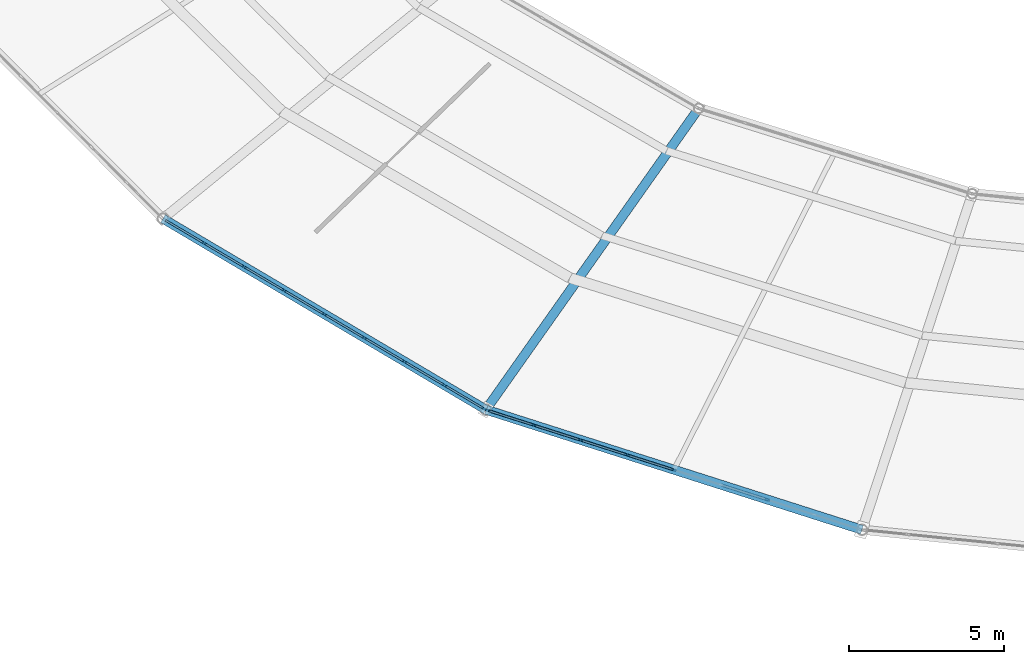
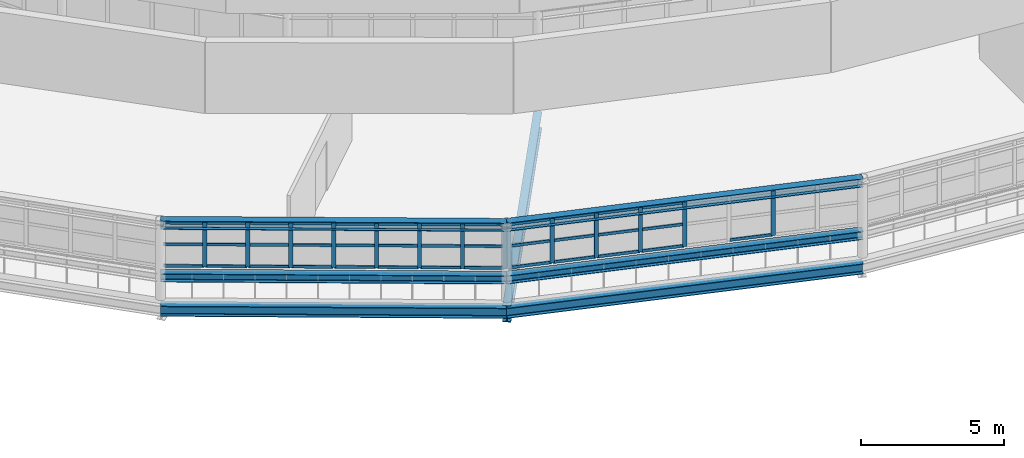
# One storey, part 33 of 123: 51 members, 7 beams, 2 elements without a shape of their own.
"""IFC4 building model written with IfcOpenShell, lengths in metres."""

import ifcopenshell
import ifcopenshell.guid

model = None  # the IFC model being written
_history = None  # IfcOwnerHistory: only IFC2X3 demands one
_inside = {}  # id of a spatial element -> (the spatial element, [elements in it])
_under = {}  # id of a project, library or spatial element -> (it, [spatial elements below it])
_declared = {}  # id of a project -> (the project, [libraries it declares])
_typed = {}  # id of a type object -> (the type object, [elements of that type])
_made_of = {}  # id of a material, layer set ... -> (it, [elements and type objects made of it])


def new_model(schema):
    """Start an empty IFC model of exactly this schema.

    Asked for "IFC4X3", IfcOpenShell would pick the latest addendum, in which some entities
    have other attributes; the version numbers below select the first issue.
    IFC2X3 requires an IfcOwnerHistory on every rooted entity: one is made here for all.
    """
    global model, _history
    if schema == "IFC4X3":
        model = ifcopenshell.file(schema_version=(4, 3, 0, 0))
    else:
        model = ifcopenshell.file(schema=schema)
    _inside.clear()
    _under.clear()
    _declared.clear()
    _typed.clear()
    _made_of.clear()
    _history = None
    if model.schema == "IFC2X3":
        org = make("IfcOrganization", Name="unknown")
        user = make(
            "IfcPersonAndOrganization",
            ThePerson=make("IfcPerson", FamilyName="unknown"),
            TheOrganization=org,
        )
        app = make(
            "IfcApplication",
            ApplicationDeveloper=org,
            Version="unknown",
            ApplicationFullName="unknown",
            ApplicationIdentifier="unknown",
        )
        _history = make(
            "IfcOwnerHistory",
            OwningUser=user,
            OwningApplication=app,
            ChangeAction="ADDED",
            CreationDate=0,
        )
    return model


def make(cls, **values):
    """One entity of the class cls with the attributes given. An attribute that is None is left unset."""
    return model.create_entity(
        cls, **{name: value for name, value in values.items() if value is not None}
    )


def rooted(cls, **values):
    """An entity with a GlobalId (a new one), such as an element, a storey or a relation."""
    return make(cls, GlobalId=ifcopenshell.guid.new(), OwnerHistory=_history, **values)


def si_unit(unit_type, name, prefix=None):
    """IfcSIUnit, for example si_unit("LENGTHUNIT", "METRE", prefix="MILLI")."""
    return make("IfcSIUnit", UnitType=unit_type, Prefix=prefix, Name=name)


def assignment(units):
    """IfcUnitAssignment: the units of a project."""
    return None if units is None else make("IfcUnitAssignment", Units=units)


def point(xyz):
    """IfcCartesianPoint."""
    return None if xyz is None else make("IfcCartesianPoint", Coordinates=xyz)


def direction(xyz):
    """IfcDirection."""
    return None if xyz is None else make("IfcDirection", DirectionRatios=xyz)


def frame(location, z_axis=None, x_axis=None):
    """IfcAxis2Placement3D, a coordinate frame: its origin and axes. An axis left out is left unset."""
    return make(
        "IfcAxis2Placement3D",
        Location=point(location),
        Axis=direction(z_axis),
        RefDirection=direction(x_axis),
    )


def frame_2d(location, x_axis=None):
    """IfcAxis2Placement2D, a coordinate frame in the plane: its origin and x axis."""
    return make(
        "IfcAxis2Placement2D", Location=point(location), RefDirection=direction(x_axis)
    )


def origin():
    """The frame at (0, 0, 0) with its axes left unset."""
    return frame((0.0, 0.0, 0.0))


def origin_2d():
    """The frame at (0, 0) in the plane with its x axis left unset."""
    return frame_2d((0.0, 0.0))


def place(relative_to, where):
    """IfcLocalPlacement: puts the frame where relative to a parent placement (None: the world)."""
    return make(
        "IfcLocalPlacement", PlacementRelTo=relative_to, RelativePlacement=where
    )


def context(
    kind, dimensions, precision=None, world=None, true_north=None, identifier=None
):
    """IfcGeometricRepresentationContext, for example the 3D "Model" context."""
    return make(
        "IfcGeometricRepresentationContext",
        ContextIdentifier=identifier,
        ContextType=kind,
        CoordinateSpaceDimension=dimensions,
        Precision=precision,
        WorldCoordinateSystem=world,
        TrueNorth=true_north,
    )


def subcontext(parent, identifier, kind, view, scale=None):
    """IfcGeometricRepresentationSubContext, for example "Body" below "Model"."""
    return make(
        "IfcGeometricRepresentationSubContext",
        ContextIdentifier=identifier,
        ContextType=kind,
        ParentContext=parent,
        TargetScale=scale,
        TargetView=view,
    )


def project(units=None, contexts=None):
    """IfcProject with its units and contexts."""
    return rooted(
        "IfcProject",
        Name="project",
        RepresentationContexts=contexts,
        UnitsInContext=assignment(units),
    )


def spatial(cls, under=None, at=None, **own):
    """A site, building, storey or space (cls), placed at a placement, below another one or the project."""
    s = rooted(cls, ObjectPlacement=at, **own)
    if under is not None:
        _under.setdefault(under.id(), (under, []))[1].append(s)
    return s


def profile(cls, at=None, kind="AREA", **sizes):
    """A parametric profile (cls). Its sizes go by their IFC names, for example OverallWidth=200.0."""
    return make(cls, ProfileType=kind, Position=at, **sizes)


def rectangle(**sizes):
    """IfcRectangleProfileDef."""
    return profile("IfcRectangleProfileDef", **sizes)


def i_section(**sizes):
    """IfcIShapeProfileDef."""
    return profile("IfcIShapeProfileDef", **sizes)


def extrude(swept, where, along, depth):
    """IfcExtrudedAreaSolid: the profile swept, set in the frame where, extruded along a direction by depth."""
    return make(
        "IfcExtrudedAreaSolid",
        SweptArea=swept,
        Position=where,
        ExtrudedDirection=direction(along),
        Depth=depth,
    )


def shape(context_of_items, identifier, shape_type, items):
    """IfcShapeRepresentation: the items that make up one representation, for example the "Body"."""
    return make(
        "IfcShapeRepresentation",
        ContextOfItems=context_of_items,
        RepresentationIdentifier=identifier,
        RepresentationType=shape_type,
        Items=items,
    )


def material(Name=None, Category=None):
    """IfcMaterial."""
    return make("IfcMaterial", Name=Name, Category=Category)


def material_profile(
    of_material, cross_section, Name=None, Category=None, Priority=None
):
    """IfcMaterialProfile: a cross section and its material."""
    return make(
        "IfcMaterialProfile",
        Name=Name,
        Material=of_material,
        Profile=cross_section,
        Priority=Priority,
        Category=Category,
    )


def profile_set(profiles, Name=None, composite=None):
    """IfcMaterialProfileSet."""
    return make(
        "IfcMaterialProfileSet",
        Name=Name,
        MaterialProfiles=profiles,
        CompositeProfile=composite,
    )


def made_of(thing, what):
    """Note that an element or type object is made of a material, layer set ...; save() writes the relation."""
    if what is not None:
        _made_of.setdefault(what.id(), (what, []))[1].append(thing)
    return thing


def type_object(cls, material=None, **own):
    """A type object (cls), such as IfcWallType, which elements share."""
    return made_of(rooted(cls, **own), material)


def element(
    cls,
    number,
    at=None,
    inside=None,
    cuts=None,
    type_object=None,
    material=None,
    context=None,
    identifier="Body",
    shape_type=None,
    held_by="IfcProductDefinitionShape",
    body=None,
    shapes=None,
    **own,
):
    """One element of the class cls, such as IfcWall. Its Tag is "e" and its number.

    at: its placement. inside: the storey or other place that contains it. cuts: it is an
    opening in that element (IfcRelVoidsElement). A single representation is given by context,
    identifier, shape_type and body (its items); several are given by shapes. held_by: the class
    of the entity that holds the representations. save() writes the other relations.
    """
    e = rooted(cls, Tag="e%d" % number, ObjectPlacement=at, **own)
    if body is not None:
        shapes = [shape(context, identifier, shape_type, body)]
    if shapes is not None:
        e.Representation = make(held_by, Representations=shapes)
    if inside is not None:
        _inside.setdefault(inside.id(), (inside, []))[1].append(e)
    if cuts is not None:
        rooted(
            "IfcRelVoidsElement", RelatingBuildingElement=cuts, RelatedOpeningElement=e
        )
    if type_object is not None:
        _typed.setdefault(type_object.id(), (type_object, []))[1].append(e)
    return made_of(e, material)


def aggregate(whole, parts):
    """IfcRelAggregates: a whole, such as a stair, and the parts it consists of."""
    return rooted("IfcRelAggregates", RelatingObject=whole, RelatedObjects=parts)


def save(model, path):
    """Write the relations noted so far, then the file.

    IfcRelAggregates (storeys below a building ...), IfcRelContainedInSpatialStructure (elements
    in a storey), IfcRelDefinesByType, IfcRelAssociatesMaterial and IfcRelDeclares: one each for
    every whole, place, type object, material and project.
    """
    for whole, parts in _under.values():
        aggregate(whole, parts)
    for where, things in _inside.values():
        rooted(
            "IfcRelContainedInSpatialStructure",
            RelatedElements=things,
            RelatingStructure=where,
        )
    for kind, things in _typed.values():
        rooted("IfcRelDefinesByType", RelatedObjects=things, RelatingType=kind)
    for what, things in _made_of.values():
        rooted("IfcRelAssociatesMaterial", RelatedObjects=things, RelatingMaterial=what)
    for by, libraries in _declared.values():
        rooted("IfcRelDeclares", RelatingContext=by, RelatedDefinitions=libraries)
    model.write(path)


model = new_model("IFC4")

# Units and contexts
model_context = context("Model", 3, precision=1e-05, world=origin(), true_north=direction((0.0, 1.0)))
body_context = subcontext(model_context, "Body", "Model", "MODEL_VIEW")
ifc_project = project(units=[si_unit("LENGTHUNIT", "METRE"), si_unit("AREAUNIT", "SQUARE_METRE"), si_unit("VOLUMEUNIT", "CUBIC_METRE"), si_unit("PLANEANGLEUNIT", "RADIAN"), si_unit("MASSUNIT", "GRAM", prefix="KILO")], contexts=[model_context])

# Site, building, storey
site_placement = place(None, origin())
site = spatial("IfcSite", under=ifc_project, at=site_placement, CompositionType="ELEMENT")
building_placement = place(site_placement, origin())
building = spatial("IfcBuilding", under=site, at=building_placement, Name="Kildeholm Park Wholesale Market", CompositionType="ELEMENT")
storey_placement = place(building_placement, frame((0.0, 0.0, 9.60009765625)))
storey = spatial("IfcBuildingStorey", under=building, at=storey_placement, Name="L02", CompositionType="ELEMENT", Elevation=9.60009765625)

# Beams
ifc_material_1 = material(Name="Steel S355", Category="steel")
ifc_material_profile_1 = material_profile(ifc_material_1, i_section(OverallWidth=0.300048828125, OverallDepth=0.699951171875, WebThickness=0.01708984375, FlangeThickness=0.031982421875, FilletRadius=0.027099609375, at=origin_2d()), Name="HEB 700")
ifc_profile_set_1 = profile_set([ifc_material_profile_1], Name="Steel S355")
beam_type_1 = type_object("IfcBeamType", Name="Beam B-G01 HEB 700", PredefinedType="BEAM", material=ifc_profile_set_1)
beam_1_placement = place(storey_placement, frame((80.75, 65.68408203125, -0.60009765625), z_axis=(-0.576894674263, -0.816818544603, 0.0), x_axis=(0.816818544603, -0.576894674263, 0.0)))
element("IfcBeam", 1, at=beam_1_placement, inside=storey, type_object=beam_type_1, Name="Beam BM-V1-L02-R1-16 BM-0146", PredefinedType="BEAM", context=body_context, shape_type="SweptSolid", body=[
    extrude(i_section(OverallWidth=0.300048828125, OverallDepth=0.699951171875, WebThickness=0.01708984375, FlangeThickness=0.031982421875, FilletRadius=0.027099609375, at=origin_2d()), origin(), (0.0, 0.0, 1.0), 11.8740234375),
])
ifc_material_profile_2 = material_profile(ifc_material_1, i_section(OverallWidth=0.300048828125, OverallDepth=0.35009765625, WebThickness=0.010009765625, FlangeThickness=0.017578125, FilletRadius=0.027099609375, at=origin_2d()), Name="HEA 360")
ifc_profile_set_2 = profile_set([ifc_material_profile_2], Name="Steel S355")
beam_type_2 = type_object("IfcBeamType", Name="Beam B-R01 HEA 360", PredefinedType="BEAM", material=ifc_profile_set_2)
beam_2_placement = place(storey_placement, frame((63.5029296875, 62.135009765625, 0.946044921875), z_axis=(0.860700316594, -0.509111937609, 0.0), x_axis=(0.509111937609, 0.860700316594, 0.0)))
element("IfcBeam", 2, at=beam_2_placement, inside=storey, type_object=beam_type_2, Name="Beam BM-V1-S1IN-15 BM-0311", PredefinedType="BEAM", context=body_context, shape_type="SweptSolid", body=[
    extrude(i_section(OverallWidth=0.300048828125, OverallDepth=0.35009765625, WebThickness=0.010009765625, FlangeThickness=0.017578125, FilletRadius=0.027099609375, at=origin_2d()), origin(), (0.0, 0.0, 1.0), 12.07958984375),
])
beam_3_placement = place(storey_placement, frame((73.89990234375, 55.985107421875, 0.946533203125), z_axis=(0.952608649326, -0.304198555599, 0.0), x_axis=(0.304198555599, 0.952608649326, 0.0)))
element("IfcBeam", 3, at=beam_3_placement, inside=storey, type_object=beam_type_2, Name="Beam BM-V1-S1IN-16 BM-0317", PredefinedType="BEAM", context=body_context, shape_type="SweptSolid", body=[
    extrude(i_section(OverallWidth=0.300048828125, OverallDepth=0.35009765625, WebThickness=0.010009765625, FlangeThickness=0.017578125, FilletRadius=0.027099609375, at=origin_2d()), origin(), (0.0, 0.0, 1.0), 12.70947265625),
])
ifc_material_profile_3 = material_profile(ifc_material_1, i_section(OverallWidth=0.300048828125, OverallDepth=0.43994140625, WebThickness=0.011474609375, FlangeThickness=0.02099609375, FilletRadius=0.027099609375, at=origin_2d()), Name="HEA 450")
ifc_profile_set_3 = profile_set([ifc_material_profile_3], Name="Steel S355")
beam_type_3 = type_object("IfcBeamType", Name="Beam B-R02 HEA 450", PredefinedType="BEAM", material=ifc_profile_set_3)
beam_4_placement = place(storey_placement, frame((63.5029296875, 62.135009765625, -0.47412109375), z_axis=(0.860700316594, -0.509111937609, 0.0), x_axis=(0.509111937609, 0.860700316594, 0.0)))
element("IfcBeam", 4, at=beam_4_placement, inside=storey, type_object=beam_type_3, Name="Beam BM-V1-L02-CM-15 BM-0143", PredefinedType="BEAM", context=body_context, shape_type="SweptSolid", body=[
    extrude(i_section(OverallWidth=0.300048828125, OverallDepth=0.43994140625, WebThickness=0.011474609375, FlangeThickness=0.02099609375, FilletRadius=0.027099609375, at=origin_2d()), origin(), (0.0, 0.0, 1.0), 12.07958984375),
])
beam_5_placement = place(storey_placement, frame((73.89990234375, 55.985107421875, -0.47412109375), z_axis=(0.952608649326, -0.304198555599, 0.0), x_axis=(0.304198555599, 0.952608649326, 0.0)))
element("IfcBeam", 5, at=beam_5_placement, inside=storey, type_object=beam_type_3, Name="Beam BM-V1-L02-CM-16 BM-0152", PredefinedType="BEAM", context=body_context, shape_type="SweptSolid", body=[
    extrude(i_section(OverallWidth=0.300048828125, OverallDepth=0.43994140625, WebThickness=0.011474609375, FlangeThickness=0.02099609375, FilletRadius=0.027099609375, at=origin_2d()), origin(), (0.0, 0.0, 1.0), 12.70947265625),
])
ifc_material_profile_4 = material_profile(ifc_material_1, i_section(OverallWidth=0.300048828125, OverallDepth=0.360107421875, WebThickness=0.012451171875, FlangeThickness=0.0224609375, FilletRadius=0.027099609375, at=origin_2d()), Name="HEB 360")
ifc_profile_set_4 = profile_set([ifc_material_profile_4], Name="Steel S355")
beam_type_4 = type_object("IfcBeamType", Name="Beam B-R03 HEB 360", PredefinedType="BEAM", material=ifc_profile_set_4)
beam_6_placement = place(storey_placement, frame((63.5029296875, 62.135009765625, 3.1884765625), z_axis=(0.860700316594, -0.509111937609, 0.0), x_axis=(0.509111937609, 0.860700316594, 0.0)))
element("IfcBeam", 6, at=beam_6_placement, inside=storey, type_object=beam_type_4, Name="Beam BM-V1-RF-M1-15 BM-0312", PredefinedType="BEAM", context=body_context, shape_type="SweptSolid", body=[
    extrude(i_section(OverallWidth=0.300048828125, OverallDepth=0.360107421875, WebThickness=0.012451171875, FlangeThickness=0.0224609375, FilletRadius=0.027099609375, at=origin_2d()), origin(), (0.0, 0.0, 1.0), 12.07958984375),
])
beam_7_placement = place(storey_placement, frame((73.89990234375, 55.985107421875, 3.188720703125), z_axis=(0.952608649326, -0.304198555599, 0.0), x_axis=(0.304198555599, 0.952608649326, 0.0)))
element("IfcBeam", 7, at=beam_7_placement, inside=storey, type_object=beam_type_4, Name="Beam BM-V1-RF-M1-16 BM-0318", PredefinedType="BEAM", context=body_context, shape_type="SweptSolid", body=[
    extrude(i_section(OverallWidth=0.300048828125, OverallDepth=0.360107421875, WebThickness=0.012451171875, FlangeThickness=0.0224609375, FilletRadius=0.027099609375, at=origin_2d()), origin(), (0.0, 0.0, 1.0), 12.70947265625),
])

# Curtain wall, members
ifc_material_2 = material(Name="Anodised aluminium and low-E double-glazed glass", Category="aluminium")
curtain_wall_type = type_object("IfcCurtainWallType", Name="Clerestory daylight stick curtain wall CW-02", PredefinedType="NOTDEFINED", material=ifc_material_2)
curtain_wall_1_placement = place(storey_placement, origin())
curtain_wall_1 = element("IfcCurtainWall", 8, at=curtain_wall_1_placement, inside=storey, type_object=curtain_wall_type, Name="Curtain wall CW-V1-CL-15 CW-0075", PredefinedType="NOTDEFINED")
ifc_material_3 = material(Name="Anodised aluminium", Category="aluminium")
ifc_material_profile_5 = material_profile(ifc_material_3, rectangle(XDim=0.06005859375, YDim=0.14990234375, at=origin_2d()), Name="CWM 60x150")
ifc_profile_set_5 = profile_set([ifc_material_profile_5], Name="Anodised aluminium")
member_type_1 = type_object("IfcMemberType", Name="Curtain-wall mullion CWM-3 CWM 60x150", PredefinedType="MULLION", material=ifc_profile_set_5)
member_1_placement = place(storey_placement, frame((64.824951171875, 61.347412109375, 1.349853515625), z_axis=(0.0, 0.0, 1.0), x_axis=(0.509105492275, 0.860704129033, 0.0)))
member_1 = element("IfcMember", 9, at=member_1_placement, type_object=member_type_1, Name="CW-02 mullion 2 MEM-2413", PredefinedType="MULLION", context=body_context, shape_type="SweptSolid", body=[
    extrude(rectangle(XDim=0.06005859375, YDim=0.14990234375, at=origin_2d()), origin(), (0.0, 0.0, 1.0), 1.900146484375),
])
member_2_placement = place(storey_placement, frame((66.115966796875, 60.583740234375, 1.349853515625), z_axis=(0.0, 0.0, 1.0), x_axis=(0.509105492275, 0.860704129033, 0.0)))
member_2 = element("IfcMember", 10, at=member_2_placement, type_object=member_type_1, Name="CW-02 mullion 3 MEM-2414", PredefinedType="MULLION", context=body_context, shape_type="SweptSolid", body=[
    extrude(rectangle(XDim=0.06005859375, YDim=0.14990234375, at=origin_2d()), origin(), (0.0, 0.0, 1.0), 1.900146484375),
])
member_3_placement = place(storey_placement, frame((67.406982421875, 59.820068359375, 1.349853515625), z_axis=(0.0, 0.0, 1.0), x_axis=(0.509105492275, 0.860704129033, 0.0)))
member_3 = element("IfcMember", 11, at=member_3_placement, type_object=member_type_1, Name="CW-02 mullion 4 MEM-2415", PredefinedType="MULLION", context=body_context, shape_type="SweptSolid", body=[
    extrude(rectangle(XDim=0.06005859375, YDim=0.14990234375, at=origin_2d()), origin(), (0.0, 0.0, 1.0), 1.900146484375),
])
member_4_placement = place(storey_placement, frame((68.697998046875, 59.056396484375, 1.349853515625), z_axis=(0.0, 0.0, 1.0), x_axis=(0.509105492275, 0.860704129033, 0.0)))
member_4 = element("IfcMember", 12, at=member_4_placement, type_object=member_type_1, Name="CW-02 mullion 5 MEM-2416", PredefinedType="MULLION", context=body_context, shape_type="SweptSolid", body=[
    extrude(rectangle(XDim=0.06005859375, YDim=0.14990234375, at=origin_2d()), origin(), (0.0, 0.0, 1.0), 1.900146484375),
])
member_5_placement = place(storey_placement, frame((69.989013671875, 58.29296875, 1.349853515625), z_axis=(0.0, 0.0, 1.0), x_axis=(0.509105492275, 0.860704129033, 0.0)))
member_5 = element("IfcMember", 13, at=member_5_placement, type_object=member_type_1, Name="CW-02 mullion 6 MEM-2417", PredefinedType="MULLION", context=body_context, shape_type="SweptSolid", body=[
    extrude(rectangle(XDim=0.06005859375, YDim=0.14990234375, at=origin_2d()), origin(), (0.0, 0.0, 1.0), 1.900146484375),
])
member_6_placement = place(storey_placement, frame((71.280029296875, 57.529296875, 1.349853515625), z_axis=(0.0, 0.0, 1.0), x_axis=(0.509105492275, 0.860704129033, 0.0)))
member_6 = element("IfcMember", 14, at=member_6_placement, type_object=member_type_1, Name="CW-02 mullion 7 MEM-2418", PredefinedType="MULLION", context=body_context, shape_type="SweptSolid", body=[
    extrude(rectangle(XDim=0.06005859375, YDim=0.14990234375, at=origin_2d()), origin(), (0.0, 0.0, 1.0), 1.900146484375),
])
member_7_placement = place(storey_placement, frame((72.571044921875, 56.765625, 1.349853515625), z_axis=(0.0, 0.0, 1.0), x_axis=(0.509105492275, 0.860704129033, 0.0)))
member_7 = element("IfcMember", 15, at=member_7_placement, type_object=member_type_1, Name="CW-02 mullion 8 MEM-2419", PredefinedType="MULLION", context=body_context, shape_type="SweptSolid", body=[
    extrude(rectangle(XDim=0.06005859375, YDim=0.14990234375, at=origin_2d()), origin(), (0.0, 0.0, 1.0), 1.900146484375),
])
member_8_placement = place(storey_placement, frame((73.836181640625, 56.017333984375, 1.349853515625), z_axis=(0.0, 0.0, 1.0), x_axis=(0.509105492275, 0.860704129033, 0.0)))
member_8 = element("IfcMember", 16, at=member_8_placement, type_object=member_type_1, Name="CW-02 mullion 9 MEM-2420", PredefinedType="MULLION", context=body_context, shape_type="SweptSolid", body=[
    extrude(rectangle(XDim=0.06005859375, YDim=0.14990234375, at=origin_2d()), origin(), (0.0, 0.0, 1.0), 1.900146484375),
])

curtain_wall_2_placement = place(storey_placement, origin())
curtain_wall_2 = element("IfcCurtainWall", 17, at=curtain_wall_2_placement, inside=storey, type_object=curtain_wall_type, Name="Curtain wall CW-V1-CL-16 CW-0080", PredefinedType="NOTDEFINED")
member_9_placement = place(storey_placement, frame((73.964599609375, 55.9599609375, 1.349853515625), z_axis=(0.0, 0.0, 1.0), x_axis=(0.304206822997, 0.952606009241, 0.0)))
member_9 = element("IfcMember", 18, at=member_9_placement, type_object=member_type_1, Name="CW-02 mullion 1 MEM-2561", PredefinedType="MULLION", context=body_context, shape_type="SweptSolid", body=[
    extrude(rectangle(XDim=0.06005859375, YDim=0.14990234375, at=origin_2d()), origin(), (0.0, 0.0, 1.0), 1.900146484375),
])
member_10_placement = place(storey_placement, frame((75.43994140625, 55.48876953125, 1.349853515625), z_axis=(0.0, 0.0, 1.0), x_axis=(0.304206822997, 0.952606009241, 0.0)))
member_10 = element("IfcMember", 19, at=member_10_placement, type_object=member_type_1, Name="CW-02 mullion 2 MEM-2562", PredefinedType="MULLION", context=body_context, shape_type="SweptSolid", body=[
    extrude(rectangle(XDim=0.06005859375, YDim=0.14990234375, at=origin_2d()), origin(), (0.0, 0.0, 1.0), 1.900146484375),
])
member_11_placement = place(storey_placement, frame((76.94384765625, 55.008544921875, 1.349853515625), z_axis=(0.0, 0.0, 1.0), x_axis=(0.304206822997, 0.952606009241, 0.0)))
member_11 = element("IfcMember", 20, at=member_11_placement, type_object=member_type_1, Name="CW-02 mullion 3 MEM-2563", PredefinedType="MULLION", context=body_context, shape_type="SweptSolid", body=[
    extrude(rectangle(XDim=0.06005859375, YDim=0.14990234375, at=origin_2d()), origin(), (0.0, 0.0, 1.0), 1.900146484375),
])
member_12_placement = place(storey_placement, frame((78.447509765625, 54.5283203125, 1.349853515625), z_axis=(0.0, 0.0, 1.0), x_axis=(0.304206822997, 0.952606009241, 0.0)))
member_12 = element("IfcMember", 21, at=member_12_placement, type_object=member_type_1, Name="CW-02 mullion 4 MEM-2564", PredefinedType="MULLION", context=body_context, shape_type="SweptSolid", body=[
    extrude(rectangle(XDim=0.06005859375, YDim=0.14990234375, at=origin_2d()), origin(), (0.0, 0.0, 1.0), 1.900146484375),
])
member_13_placement = place(storey_placement, frame((79.951416015625, 54.048095703125, 1.349853515625), z_axis=(0.0, 0.0, 1.0), x_axis=(0.304206822997, 0.952606009241, 0.0)))
member_13 = element("IfcMember", 22, at=member_13_placement, type_object=member_type_1, Name="CW-02 mullion 5 MEM-2565", PredefinedType="MULLION", context=body_context, shape_type="SweptSolid", body=[
    extrude(rectangle(XDim=0.06005859375, YDim=0.14990234375, at=origin_2d()), origin(), (0.0, 0.0, 1.0), 1.900146484375),
])
member_14_placement = place(storey_placement, frame((82.959228515625, 53.08740234375, 1.349853515625), z_axis=(0.0, 0.0, 1.0), x_axis=(0.304206822997, 0.952606009241, 0.0)))
member_14 = element("IfcMember", 23, at=member_14_placement, type_object=member_type_1, Name="CW-02 mullion 7 MEM-2567", PredefinedType="MULLION", context=body_context, shape_type="SweptSolid", body=[
    extrude(rectangle(XDim=0.06005859375, YDim=0.14990234375, at=origin_2d()), origin(), (0.0, 0.0, 1.0), 1.900146484375),
])

# Member
ifc_material_profile_6 = material_profile(ifc_material_3, rectangle(XDim=0.06005859375, YDim=0.1201171875, at=origin_2d()), Name="CWT 60x120")
ifc_profile_set_6 = profile_set([ifc_material_profile_6], Name="Anodised aluminium")
member_type_2 = type_object("IfcMemberType", Name="Curtain-wall transom CWT-3 CWT 60x120", PredefinedType="USERDEFINED", material=ifc_profile_set_6)
member_15_placement = place(storey_placement, frame((63.585693359375, 62.08056640625, 1.3798828125), z_axis=(0.860609208808, -0.509265932214, 0.0), x_axis=(0.509265932214, 0.860609208808, 0.0)))
member_15 = element("IfcMember", 24, at=member_15_placement, type_object=member_type_2, Name="CW-02 transom 1.1 MEM-2421", ObjectType="TRANSOM", PredefinedType="USERDEFINED", context=body_context, shape_type="SweptSolid", body=[
    extrude(rectangle(XDim=0.06005859375, YDim=0.1201171875, at=origin_2d()), origin(), (0.0, 0.0, 1.0), 1.409912109375),
])

member_16_placement = place(storey_placement, frame((63.585693359375, 62.08056640625, 2.2998046875), z_axis=(0.860609208808, -0.509265932214, 0.0), x_axis=(0.509265932214, 0.860609208808, 0.0)))
member_16 = element("IfcMember", 25, at=member_16_placement, type_object=member_type_2, Name="CW-02 transom 1.2 MEM-2422", ObjectType="TRANSOM", PredefinedType="USERDEFINED", context=body_context, shape_type="SweptSolid", body=[
    extrude(rectangle(XDim=0.06005859375, YDim=0.1201171875, at=origin_2d()), origin(), (0.0, 0.0, 1.0), 1.409912109375),
])

member_17_placement = place(storey_placement, frame((63.585693359375, 62.08056640625, 3.219970703125), z_axis=(0.860609208808, -0.509265932214, 0.0), x_axis=(0.509265932214, 0.860609208808, 0.0)))
member_17 = element("IfcMember", 26, at=member_17_placement, type_object=member_type_2, Name="CW-02 transom 1.3 MEM-2423", ObjectType="TRANSOM", PredefinedType="USERDEFINED", context=body_context, shape_type="SweptSolid", body=[
    extrude(rectangle(XDim=0.06005859375, YDim=0.1201171875, at=origin_2d()), origin(), (0.0, 0.0, 1.0), 1.409912109375),
])

member_18_placement = place(storey_placement, frame((64.850830078125, 61.33203125, 1.3798828125), z_axis=(0.860737422869, -0.509049200838, 0.0), x_axis=(0.509049200838, 0.860737422869, 0.0)))
member_18 = element("IfcMember", 27, at=member_18_placement, type_object=member_type_2, Name="CW-02 transom 2.1 MEM-2424", ObjectType="TRANSOM", PredefinedType="USERDEFINED", context=body_context, shape_type="SweptSolid", body=[
    extrude(rectangle(XDim=0.06005859375, YDim=0.1201171875, at=origin_2d()), origin(), (0.0, 0.0, 1.0), 1.439697265625),
])

member_19_placement = place(storey_placement, frame((64.850830078125, 61.33203125, 2.2998046875), z_axis=(0.860737422869, -0.509049200838, 0.0), x_axis=(0.509049200838, 0.860737422869, 0.0)))
member_19 = element("IfcMember", 28, at=member_19_placement, type_object=member_type_2, Name="CW-02 transom 2.2 MEM-2425", ObjectType="TRANSOM", PredefinedType="USERDEFINED", context=body_context, shape_type="SweptSolid", body=[
    extrude(rectangle(XDim=0.06005859375, YDim=0.1201171875, at=origin_2d()), origin(), (0.0, 0.0, 1.0), 1.439697265625),
])

member_20_placement = place(storey_placement, frame((64.850830078125, 61.33203125, 3.219970703125), z_axis=(0.860737422869, -0.509049200838, 0.0), x_axis=(0.509049200838, 0.860737422869, 0.0)))
member_20 = element("IfcMember", 29, at=member_20_placement, type_object=member_type_2, Name="CW-02 transom 2.3 MEM-2426", ObjectType="TRANSOM", PredefinedType="USERDEFINED", context=body_context, shape_type="SweptSolid", body=[
    extrude(rectangle(XDim=0.06005859375, YDim=0.1201171875, at=origin_2d()), origin(), (0.0, 0.0, 1.0), 1.439697265625),
])

member_21_placement = place(storey_placement, frame((66.141845703125, 60.568359375, 1.3798828125), z_axis=(0.860737422869, -0.509049200838, 0.0), x_axis=(0.509049200838, 0.860737422869, 0.0)))
member_21 = element("IfcMember", 30, at=member_21_placement, type_object=member_type_2, Name="CW-02 transom 3.1 MEM-2427", ObjectType="TRANSOM", PredefinedType="USERDEFINED", context=body_context, shape_type="SweptSolid", body=[
    extrude(rectangle(XDim=0.06005859375, YDim=0.1201171875, at=origin_2d()), origin(), (0.0, 0.0, 1.0), 1.439697265625),
])

member_22_placement = place(storey_placement, frame((66.141845703125, 60.568359375, 2.2998046875), z_axis=(0.860737422869, -0.509049200838, 0.0), x_axis=(0.509049200838, 0.860737422869, 0.0)))
member_22 = element("IfcMember", 31, at=member_22_placement, type_object=member_type_2, Name="CW-02 transom 3.2 MEM-2428", ObjectType="TRANSOM", PredefinedType="USERDEFINED", context=body_context, shape_type="SweptSolid", body=[
    extrude(rectangle(XDim=0.06005859375, YDim=0.1201171875, at=origin_2d()), origin(), (0.0, 0.0, 1.0), 1.439697265625),
])

member_23_placement = place(storey_placement, frame((66.141845703125, 60.568359375, 3.219970703125), z_axis=(0.860737422869, -0.509049200838, 0.0), x_axis=(0.509049200838, 0.860737422869, 0.0)))
member_23 = element("IfcMember", 32, at=member_23_placement, type_object=member_type_2, Name="CW-02 transom 3.3 MEM-2429", ObjectType="TRANSOM", PredefinedType="USERDEFINED", context=body_context, shape_type="SweptSolid", body=[
    extrude(rectangle(XDim=0.06005859375, YDim=0.1201171875, at=origin_2d()), origin(), (0.0, 0.0, 1.0), 1.439697265625),
])

member_24_placement = place(storey_placement, frame((67.432861328125, 59.804931640625, 1.3798828125), z_axis=(0.860663121706, -0.509174813728, 0.0), x_axis=(0.509174813728, 0.860663121706, 0.0)))
member_24 = element("IfcMember", 33, at=member_24_placement, type_object=member_type_2, Name="CW-02 transom 4.1 MEM-2430", ObjectType="TRANSOM", PredefinedType="USERDEFINED", context=body_context, shape_type="SweptSolid", body=[
    extrude(rectangle(XDim=0.06005859375, YDim=0.1201171875, at=origin_2d()), origin(), (0.0, 0.0, 1.0), 1.43994140625),
])

member_25_placement = place(storey_placement, frame((67.432861328125, 59.804931640625, 2.2998046875), z_axis=(0.860663121706, -0.509174813728, 0.0), x_axis=(0.509174813728, 0.860663121706, 0.0)))
member_25 = element("IfcMember", 34, at=member_25_placement, type_object=member_type_2, Name="CW-02 transom 4.2 MEM-2431", ObjectType="TRANSOM", PredefinedType="USERDEFINED", context=body_context, shape_type="SweptSolid", body=[
    extrude(rectangle(XDim=0.06005859375, YDim=0.1201171875, at=origin_2d()), origin(), (0.0, 0.0, 1.0), 1.43994140625),
])

member_26_placement = place(storey_placement, frame((67.432861328125, 59.804931640625, 3.219970703125), z_axis=(0.860663121706, -0.509174813728, 0.0), x_axis=(0.509174813728, 0.860663121706, 0.0)))
member_26 = element("IfcMember", 35, at=member_26_placement, type_object=member_type_2, Name="CW-02 transom 4.3 MEM-2432", ObjectType="TRANSOM", PredefinedType="USERDEFINED", context=body_context, shape_type="SweptSolid", body=[
    extrude(rectangle(XDim=0.06005859375, YDim=0.1201171875, at=origin_2d()), origin(), (0.0, 0.0, 1.0), 1.43994140625),
])

member_27_placement = place(storey_placement, frame((68.723876953125, 59.041259765625, 1.3798828125), z_axis=(0.860663121706, -0.509174813728, 0.0), x_axis=(0.509174813728, 0.860663121706, 0.0)))
member_27 = element("IfcMember", 36, at=member_27_placement, type_object=member_type_2, Name="CW-02 transom 5.1 MEM-2433", ObjectType="TRANSOM", PredefinedType="USERDEFINED", context=body_context, shape_type="SweptSolid", body=[
    extrude(rectangle(XDim=0.06005859375, YDim=0.1201171875, at=origin_2d()), origin(), (0.0, 0.0, 1.0), 1.43994140625),
])

member_28_placement = place(storey_placement, frame((68.723876953125, 59.041259765625, 2.2998046875), z_axis=(0.860663121706, -0.509174813728, 0.0), x_axis=(0.509174813728, 0.860663121706, 0.0)))
member_28 = element("IfcMember", 37, at=member_28_placement, type_object=member_type_2, Name="CW-02 transom 5.2 MEM-2434", ObjectType="TRANSOM", PredefinedType="USERDEFINED", context=body_context, shape_type="SweptSolid", body=[
    extrude(rectangle(XDim=0.06005859375, YDim=0.1201171875, at=origin_2d()), origin(), (0.0, 0.0, 1.0), 1.43994140625),
])

member_29_placement = place(storey_placement, frame((68.723876953125, 59.041259765625, 3.219970703125), z_axis=(0.860663121706, -0.509174813728, 0.0), x_axis=(0.509174813728, 0.860663121706, 0.0)))
member_29 = element("IfcMember", 38, at=member_29_placement, type_object=member_type_2, Name="CW-02 transom 5.3 MEM-2435", ObjectType="TRANSOM", PredefinedType="USERDEFINED", context=body_context, shape_type="SweptSolid", body=[
    extrude(rectangle(XDim=0.06005859375, YDim=0.1201171875, at=origin_2d()), origin(), (0.0, 0.0, 1.0), 1.43994140625),
])

member_30_placement = place(storey_placement, frame((70.014892578125, 58.277587890625, 1.3798828125), z_axis=(0.860663121706, -0.509174813728, 0.0), x_axis=(0.509174813728, 0.860663121706, 0.0)))
member_30 = element("IfcMember", 39, at=member_30_placement, type_object=member_type_2, Name="CW-02 transom 6.1 MEM-2436", ObjectType="TRANSOM", PredefinedType="USERDEFINED", context=body_context, shape_type="SweptSolid", body=[
    extrude(rectangle(XDim=0.06005859375, YDim=0.1201171875, at=origin_2d()), origin(), (0.0, 0.0, 1.0), 1.43994140625),
])

member_31_placement = place(storey_placement, frame((70.014892578125, 58.277587890625, 2.2998046875), z_axis=(0.860663121706, -0.509174813728, 0.0), x_axis=(0.509174813728, 0.860663121706, 0.0)))
member_31 = element("IfcMember", 40, at=member_31_placement, type_object=member_type_2, Name="CW-02 transom 6.2 MEM-2437", ObjectType="TRANSOM", PredefinedType="USERDEFINED", context=body_context, shape_type="SweptSolid", body=[
    extrude(rectangle(XDim=0.06005859375, YDim=0.1201171875, at=origin_2d()), origin(), (0.0, 0.0, 1.0), 1.43994140625),
])

member_32_placement = place(storey_placement, frame((70.014892578125, 58.277587890625, 3.219970703125), z_axis=(0.860663121706, -0.509174813728, 0.0), x_axis=(0.509174813728, 0.860663121706, 0.0)))
member_32 = element("IfcMember", 41, at=member_32_placement, type_object=member_type_2, Name="CW-02 transom 6.3 MEM-2438", ObjectType="TRANSOM", PredefinedType="USERDEFINED", context=body_context, shape_type="SweptSolid", body=[
    extrude(rectangle(XDim=0.06005859375, YDim=0.1201171875, at=origin_2d()), origin(), (0.0, 0.0, 1.0), 1.43994140625),
])

member_33_placement = place(storey_placement, frame((71.305908203125, 57.513916015625, 1.3798828125), z_axis=(0.860737422869, -0.509049200838, 0.0), x_axis=(0.509049200838, 0.860737422869, 0.0)))
member_33 = element("IfcMember", 42, at=member_33_placement, type_object=member_type_2, Name="CW-02 transom 7.1 MEM-2439", ObjectType="TRANSOM", PredefinedType="USERDEFINED", context=body_context, shape_type="SweptSolid", body=[
    extrude(rectangle(XDim=0.06005859375, YDim=0.1201171875, at=origin_2d()), origin(), (0.0, 0.0, 1.0), 1.439697265625),
])

member_34_placement = place(storey_placement, frame((71.305908203125, 57.513916015625, 2.2998046875), z_axis=(0.860737422869, -0.509049200838, 0.0), x_axis=(0.509049200838, 0.860737422869, 0.0)))
member_34 = element("IfcMember", 43, at=member_34_placement, type_object=member_type_2, Name="CW-02 transom 7.2 MEM-2440", ObjectType="TRANSOM", PredefinedType="USERDEFINED", context=body_context, shape_type="SweptSolid", body=[
    extrude(rectangle(XDim=0.06005859375, YDim=0.1201171875, at=origin_2d()), origin(), (0.0, 0.0, 1.0), 1.439697265625),
])

member_35_placement = place(storey_placement, frame((71.305908203125, 57.513916015625, 3.219970703125), z_axis=(0.860737422869, -0.509049200838, 0.0), x_axis=(0.509049200838, 0.860737422869, 0.0)))
member_35 = element("IfcMember", 44, at=member_35_placement, type_object=member_type_2, Name="CW-02 transom 7.3 MEM-2441", ObjectType="TRANSOM", PredefinedType="USERDEFINED", context=body_context, shape_type="SweptSolid", body=[
    extrude(rectangle(XDim=0.06005859375, YDim=0.1201171875, at=origin_2d()), origin(), (0.0, 0.0, 1.0), 1.439697265625),
])

member_36_placement = place(storey_placement, frame((72.596923828125, 56.750244140625, 1.3798828125), z_axis=(0.860685098679, -0.509137664008, 0.0), x_axis=(0.509137664008, 0.860685098679, 0.0)))
member_36 = element("IfcMember", 45, at=member_36_placement, type_object=member_type_2, Name="CW-02 transom 8.1 MEM-2442", ObjectType="TRANSOM", PredefinedType="USERDEFINED", context=body_context, shape_type="SweptSolid", body=[
    extrude(rectangle(XDim=0.06005859375, YDim=0.1201171875, at=origin_2d()), origin(), (0.0, 0.0, 1.0), 1.40966796875),
])

member_37_placement = place(storey_placement, frame((72.596923828125, 56.750244140625, 2.2998046875), z_axis=(0.860685098679, -0.509137664008, 0.0), x_axis=(0.509137664008, 0.860685098679, 0.0)))
member_37 = element("IfcMember", 46, at=member_37_placement, type_object=member_type_2, Name="CW-02 transom 8.2 MEM-2443", ObjectType="TRANSOM", PredefinedType="USERDEFINED", context=body_context, shape_type="SweptSolid", body=[
    extrude(rectangle(XDim=0.06005859375, YDim=0.1201171875, at=origin_2d()), origin(), (0.0, 0.0, 1.0), 1.40966796875),
])

member_38_placement = place(storey_placement, frame((72.596923828125, 56.750244140625, 3.219970703125), z_axis=(0.860685098679, -0.509137664008, 0.0), x_axis=(0.509137664008, 0.860685098679, 0.0)))
member_38 = element("IfcMember", 47, at=member_38_placement, type_object=member_type_2, Name="CW-02 transom 8.3 MEM-2444", ObjectType="TRANSOM", PredefinedType="USERDEFINED", context=body_context, shape_type="SweptSolid", body=[
    extrude(rectangle(XDim=0.06005859375, YDim=0.1201171875, at=origin_2d()), origin(), (0.0, 0.0, 1.0), 1.40966796875),
])

aggregate(curtain_wall_1, [member_1, member_2, member_3, member_4, member_5, member_6, member_7, member_8, member_15, member_16, member_17, member_18, member_19, member_20, member_21, member_22, member_23, member_24, member_25, member_26, member_27, member_28, member_29, member_30, member_31, member_32, member_33, member_34, member_35, member_36, member_37, member_38])

member_39_placement = place(storey_placement, frame((73.9931640625, 55.95068359375, 1.3798828125), z_axis=(0.952608667533, -0.304198498584, 0.0), x_axis=(0.304198498584, 0.952608667533, 0.0)))
member_39 = element("IfcMember", 48, at=member_39_placement, type_object=member_type_2, Name="CW-02 transom 1.1 MEM-2570", ObjectType="TRANSOM", PredefinedType="USERDEFINED", context=body_context, shape_type="SweptSolid", body=[
    extrude(rectangle(XDim=0.06005859375, YDim=0.1201171875, at=origin_2d()), origin(), (0.0, 0.0, 1.0), 1.48876953125),
])

member_40_placement = place(storey_placement, frame((73.9931640625, 55.95068359375, 2.2998046875), z_axis=(0.952608667533, -0.304198498584, 0.0), x_axis=(0.304198498584, 0.952608667533, 0.0)))
member_40 = element("IfcMember", 49, at=member_40_placement, type_object=member_type_2, Name="CW-02 transom 1.2 MEM-2571", ObjectType="TRANSOM", PredefinedType="USERDEFINED", context=body_context, shape_type="SweptSolid", body=[
    extrude(rectangle(XDim=0.06005859375, YDim=0.1201171875, at=origin_2d()), origin(), (0.0, 0.0, 1.0), 1.48876953125),
])

member_41_placement = place(storey_placement, frame((73.9931640625, 55.95068359375, 3.219970703125), z_axis=(0.952608667533, -0.304198498584, 0.0), x_axis=(0.304198498584, 0.952608667533, 0.0)))
member_41 = element("IfcMember", 50, at=member_41_placement, type_object=member_type_2, Name="CW-02 transom 1.3 MEM-2572", ObjectType="TRANSOM", PredefinedType="USERDEFINED", context=body_context, shape_type="SweptSolid", body=[
    extrude(rectangle(XDim=0.06005859375, YDim=0.1201171875, at=origin_2d()), origin(), (0.0, 0.0, 1.0), 1.48876953125),
])

member_42_placement = place(storey_placement, frame((75.468505859375, 55.479736328125, 1.3798828125), z_axis=(0.952578937282, -0.304291584252, 0.0), x_axis=(0.304291584252, 0.952578937282, 0.0)))
member_42 = element("IfcMember", 51, at=member_42_placement, type_object=member_type_2, Name="CW-02 transom 2.1 MEM-2573", ObjectType="TRANSOM", PredefinedType="USERDEFINED", context=body_context, shape_type="SweptSolid", body=[
    extrude(rectangle(XDim=0.06005859375, YDim=0.1201171875, at=origin_2d()), origin(), (0.0, 0.0, 1.0), 1.518798828125),
])

member_43_placement = place(storey_placement, frame((75.468505859375, 55.479736328125, 2.2998046875), z_axis=(0.952578937282, -0.304291584252, 0.0), x_axis=(0.304291584252, 0.952578937282, 0.0)))
member_43 = element("IfcMember", 52, at=member_43_placement, type_object=member_type_2, Name="CW-02 transom 2.2 MEM-2574", ObjectType="TRANSOM", PredefinedType="USERDEFINED", context=body_context, shape_type="SweptSolid", body=[
    extrude(rectangle(XDim=0.06005859375, YDim=0.1201171875, at=origin_2d()), origin(), (0.0, 0.0, 1.0), 1.518798828125),
])

member_44_placement = place(storey_placement, frame((75.468505859375, 55.479736328125, 3.219970703125), z_axis=(0.952578937282, -0.304291584252, 0.0), x_axis=(0.304291584252, 0.952578937282, 0.0)))
member_44 = element("IfcMember", 53, at=member_44_placement, type_object=member_type_2, Name="CW-02 transom 2.3 MEM-2575", ObjectType="TRANSOM", PredefinedType="USERDEFINED", context=body_context, shape_type="SweptSolid", body=[
    extrude(rectangle(XDim=0.06005859375, YDim=0.1201171875, at=origin_2d()), origin(), (0.0, 0.0, 1.0), 1.518798828125),
])

member_45_placement = place(storey_placement, frame((76.972412109375, 54.999267578125, 1.3798828125), z_axis=(0.952610648558, -0.304192294864, 0.0), x_axis=(0.304192294864, 0.952610648558, 0.0)))
member_45 = element("IfcMember", 54, at=member_45_placement, type_object=member_type_2, Name="CW-02 transom 3.1 MEM-2576", ObjectType="TRANSOM", PredefinedType="USERDEFINED", context=body_context, shape_type="SweptSolid", body=[
    extrude(rectangle(XDim=0.06005859375, YDim=0.1201171875, at=origin_2d()), origin(), (0.0, 0.0, 1.0), 1.5185546875),
])

member_46_placement = place(storey_placement, frame((76.972412109375, 54.999267578125, 2.2998046875), z_axis=(0.952610648558, -0.304192294864, 0.0), x_axis=(0.304192294864, 0.952610648558, 0.0)))
member_46 = element("IfcMember", 55, at=member_46_placement, type_object=member_type_2, Name="CW-02 transom 3.2 MEM-2577", ObjectType="TRANSOM", PredefinedType="USERDEFINED", context=body_context, shape_type="SweptSolid", body=[
    extrude(rectangle(XDim=0.06005859375, YDim=0.1201171875, at=origin_2d()), origin(), (0.0, 0.0, 1.0), 1.5185546875),
])

member_47_placement = place(storey_placement, frame((76.972412109375, 54.999267578125, 3.219970703125), z_axis=(0.952610648558, -0.304192294864, 0.0), x_axis=(0.304192294864, 0.952610648558, 0.0)))
member_47 = element("IfcMember", 56, at=member_47_placement, type_object=member_type_2, Name="CW-02 transom 3.3 MEM-2578", ObjectType="TRANSOM", PredefinedType="USERDEFINED", context=body_context, shape_type="SweptSolid", body=[
    extrude(rectangle(XDim=0.06005859375, YDim=0.1201171875, at=origin_2d()), origin(), (0.0, 0.0, 1.0), 1.5185546875),
])

member_48_placement = place(storey_placement, frame((78.476318359375, 54.51904296875, 1.3798828125), z_axis=(0.952610648558, -0.304192294864, 0.0), x_axis=(0.304192294864, 0.952610648558, 0.0)))
member_48 = element("IfcMember", 57, at=member_48_placement, type_object=member_type_2, Name="CW-02 transom 4.1 MEM-2579", ObjectType="TRANSOM", PredefinedType="USERDEFINED", context=body_context, shape_type="SweptSolid", body=[
    extrude(rectangle(XDim=0.06005859375, YDim=0.1201171875, at=origin_2d()), origin(), (0.0, 0.0, 1.0), 1.5185546875),
])

member_49_placement = place(storey_placement, frame((78.476318359375, 54.51904296875, 2.2998046875), z_axis=(0.952610648558, -0.304192294864, 0.0), x_axis=(0.304192294864, 0.952610648558, 0.0)))
member_49 = element("IfcMember", 58, at=member_49_placement, type_object=member_type_2, Name="CW-02 transom 4.2 MEM-2580", ObjectType="TRANSOM", PredefinedType="USERDEFINED", context=body_context, shape_type="SweptSolid", body=[
    extrude(rectangle(XDim=0.06005859375, YDim=0.1201171875, at=origin_2d()), origin(), (0.0, 0.0, 1.0), 1.5185546875),
])

member_50_placement = place(storey_placement, frame((78.476318359375, 54.51904296875, 3.219970703125), z_axis=(0.952610648558, -0.304192294864, 0.0), x_axis=(0.304192294864, 0.952610648558, 0.0)))
member_50 = element("IfcMember", 59, at=member_50_placement, type_object=member_type_2, Name="CW-02 transom 4.3 MEM-2581", ObjectType="TRANSOM", PredefinedType="USERDEFINED", context=body_context, shape_type="SweptSolid", body=[
    extrude(rectangle(XDim=0.06005859375, YDim=0.1201171875, at=origin_2d()), origin(), (0.0, 0.0, 1.0), 1.5185546875),
])

member_51_placement = place(storey_placement, frame((81.48388671875, 53.55859375, 1.3798828125), z_axis=(0.952625522419, -0.304145711849, 0.0), x_axis=(0.304145711849, 0.952625522419, 0.0)))
member_51 = element("IfcMember", 60, at=member_51_placement, type_object=member_type_2, Name="CW-02 transom 6.1 MEM-2585", ObjectType="TRANSOM", PredefinedType="USERDEFINED", context=body_context, shape_type="SweptSolid", body=[
    extrude(rectangle(XDim=0.06005859375, YDim=0.1201171875, at=origin_2d()), origin(), (0.0, 0.0, 1.0), 1.518798828125),
])

aggregate(curtain_wall_2, [member_9, member_10, member_11, member_12, member_13, member_14, member_39, member_40, member_41, member_42, member_43, member_44, member_45, member_46, member_47, member_48, member_49, member_50, member_51])

save(model, "model.ifc")
